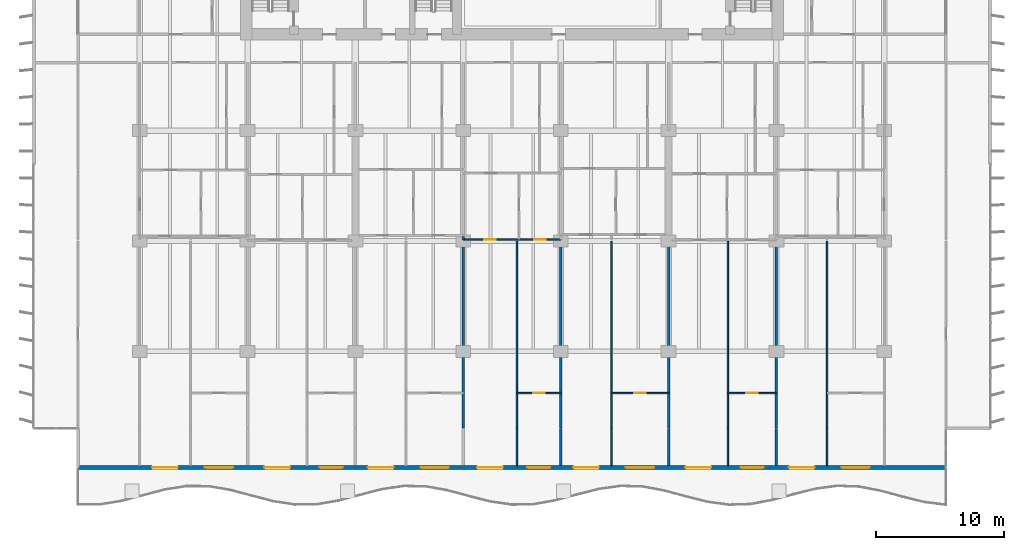
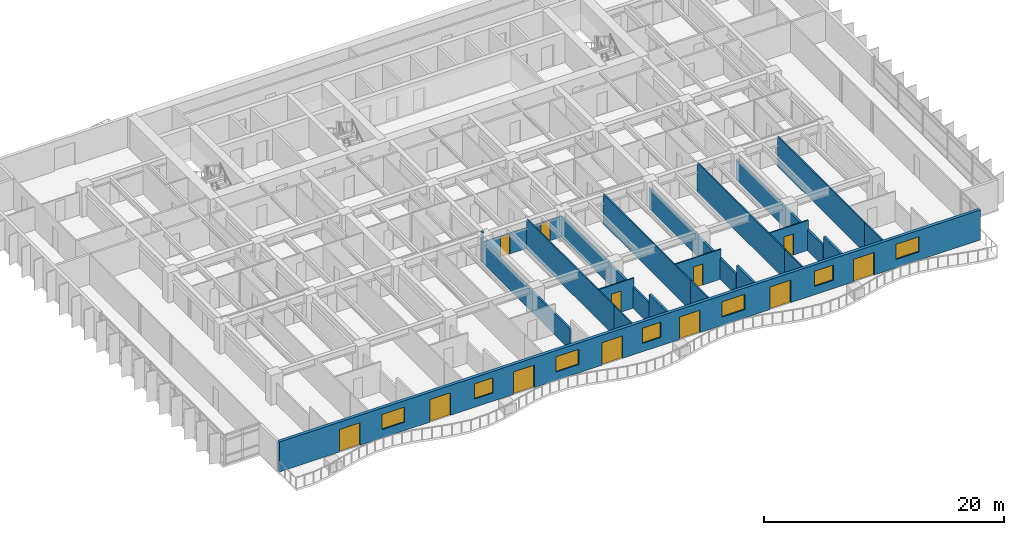
# One storey, part 8 of 18: 21 walls, 12 doors, 7 windows, 19 openings.
"""IFC4 building model written with IfcOpenShell, lengths in metres."""

from ifc_helpers import new_model, si_unit, direction, frame, frame_2d, origin, place, context, subcontext, project, spatial, rectangle, extrude, material, layer, layer_set, type_object, element, fill, save


model = new_model("IFC4")

# Units and contexts
model_context = context("Model", 3, precision=1e-05, world=origin(), true_north=direction((0.0, 1.0)))
body_context = subcontext(model_context, "Body", "Model", "MODEL_VIEW")
ifc_project = project(units=[si_unit("LENGTHUNIT", "METRE"), si_unit("AREAUNIT", "SQUARE_METRE"), si_unit("VOLUMEUNIT", "CUBIC_METRE"), si_unit("PLANEANGLEUNIT", "RADIAN"), si_unit("MASSUNIT", "GRAM", prefix="KILO")], contexts=[model_context])

# Site, building, storey
site_placement = place(None, origin())
site = spatial("IfcSite", under=ifc_project, at=site_placement, CompositionType="ELEMENT")
building_placement = place(site_placement, origin())
building = spatial("IfcBuilding", under=site, at=building_placement, Name="Caelmar Bay Residences", CompositionType="ELEMENT")
storey_placement = place(building_placement, frame((0.0, 0.0, 69.60009765625)))
storey = spatial("IfcBuildingStorey", under=building, at=storey_placement, Name="L18", CompositionType="ELEMENT", Elevation=69.60009765625)

# Wall, openings, doors, windows
ifc_material_1 = material(Name="Precast concrete f'c 40 MPa (6,000 psi)", Category="concrete")
ifc_layer_1 = layer(ifc_material_1, 0.300048828125)
ifc_layer_set_1 = layer_set([ifc_layer_1], Name="Precast concrete f'c 40 MPa (6,000 psi)")
wall_type_1 = type_object("IfcWallType", Name="W-EXT-300", PredefinedType="STANDARD", material=ifc_layer_set_1)
wall_1_placement = place(storey_placement, frame((72.699951171875, 3.14990234375, 0.0), z_axis=(0.0, 0.0, 1.0), x_axis=(-1.0, 0.0, 0.0)))
wall_1 = element("IfcWall", 1, at=wall_1_placement, inside=storey, type_object=wall_type_1, Name="L18 South Bayfront Exterior Wall", PredefinedType="STANDARD", context=body_context, shape_type="SweptSolid", body=[
    extrude(rectangle(XDim=67.599853515625, YDim=0.300048828125, at=frame_2d((33.7998046875, 0.0))), origin(), (0.0, 0.0, 1.0), 3.0498046875),
])
opening_1_placement = place(wall_1_placement, frame((59.825927734375, 0.0, 0.0)))
opening_1 = element("IfcOpeningElement", 2, at=opening_1_placement, cuts=wall_1, Name="Opening L18-BD01", PredefinedType="OPENING", context=body_context, shape_type="SweptSolid", body=[
    extrude(rectangle(XDim=2.0, YDim=2.300048828125, at=frame_2d((1.0, 1.14990234375))), frame((0.0, 0.159912109375, 0.0), z_axis=(0.0, -1.0, 0.0), x_axis=(1.0, 0.0, 0.0)), (0.0, 0.0, 1.0), 0.320068359375),
])
opening_2_placement = place(wall_1_placement, frame((55.52587890625, 0.0, 0.85009765625)))
opening_2 = element("IfcOpeningElement", 3, at=opening_2_placement, cuts=wall_1, Name="Opening WN2", PredefinedType="OPENING", context=body_context, shape_type="SweptSolid", body=[
    extrude(rectangle(XDim=2.199951171875, YDim=1.550048828125, at=frame_2d((1.10009765625, 0.77490234375))), frame((0.0, 0.159912109375, 0.0), z_axis=(0.0, -1.0, 0.0), x_axis=(1.0, 0.0, 0.0)), (0.0, 0.0, 1.0), 0.320068359375),
])
opening_3_placement = place(wall_1_placement, frame((51.090087890625, 0.0, 0.0)))
opening_3 = element("IfcOpeningElement", 4, at=opening_3_placement, cuts=wall_1, Name="Opening L18-BD02", PredefinedType="OPENING", context=body_context, shape_type="SweptSolid", body=[
    extrude(rectangle(XDim=2.0, YDim=2.300048828125, at=frame_2d((1.0, 1.14990234375))), frame((0.0, 0.159912109375, 0.0), z_axis=(0.0, -1.0, 0.0), x_axis=(1.0, 0.0, 0.0)), (0.0, 0.0, 1.0), 0.320068359375),
])
opening_4_placement = place(wall_1_placement, frame((46.989990234375, 0.0, 0.85009765625)))
opening_4 = element("IfcOpeningElement", 5, at=opening_4_placement, cuts=wall_1, Name="Opening WN1", PredefinedType="OPENING", context=body_context, shape_type="SweptSolid", body=[
    extrude(rectangle(XDim=1.800048828125, YDim=1.550048828125, at=frame_2d((0.89990234375, 0.77490234375))), frame((0.0, 0.159912109375, 0.0), z_axis=(0.0, -1.0, 0.0), x_axis=(1.0, 0.0, 0.0)), (0.0, 0.0, 1.0), 0.320068359375),
])
opening_5_placement = place(wall_1_placement, frame((43.02587890625, 0.0, 0.0)))
opening_5 = element("IfcOpeningElement", 6, at=opening_5_placement, cuts=wall_1, Name="Opening L18-BD03", PredefinedType="OPENING", context=body_context, shape_type="SweptSolid", body=[
    extrude(rectangle(XDim=2.0, YDim=2.300048828125, at=frame_2d((1.0, 1.14990234375))), frame((0.0, 0.159912109375, 0.0), z_axis=(0.0, -1.0, 0.0), x_axis=(1.0, 0.0, 0.0)), (0.0, 0.0, 1.0), 0.320068359375),
])
opening_6_placement = place(wall_1_placement, frame((38.72607421875, 0.0, 0.85009765625)))
opening_6 = element("IfcOpeningElement", 7, at=opening_6_placement, cuts=wall_1, Name="Opening WN2", PredefinedType="OPENING", context=body_context, shape_type="SweptSolid", body=[
    extrude(rectangle(XDim=2.199951171875, YDim=1.550048828125, at=frame_2d((1.10009765625, 0.77490234375))), frame((0.0, 0.159912109375, 0.0), z_axis=(0.0, -1.0, 0.0), x_axis=(1.0, 0.0, 0.0)), (0.0, 0.0, 1.0), 0.320068359375),
])
opening_7_placement = place(wall_1_placement, frame((34.510009765625, 0.0, 0.0)))
opening_7 = element("IfcOpeningElement", 8, at=opening_7_placement, cuts=wall_1, Name="Opening L18-BD04", PredefinedType="OPENING", context=body_context, shape_type="SweptSolid", body=[
    extrude(rectangle(XDim=2.0, YDim=2.300048828125, at=frame_2d((1.0, 1.14990234375))), frame((0.0, 0.159912109375, 0.0), z_axis=(0.0, -1.0, 0.0), x_axis=(1.0, 0.0, 0.0)), (0.0, 0.0, 1.0), 0.320068359375),
])
opening_8_placement = place(wall_1_placement, frame((30.81005859375, 0.0, 0.85009765625)))
opening_8 = element("IfcOpeningElement", 9, at=opening_8_placement, cuts=wall_1, Name="Opening WN1", PredefinedType="OPENING", context=body_context, shape_type="SweptSolid", body=[
    extrude(rectangle(XDim=1.800048828125, YDim=1.550048828125, at=frame_2d((0.89990234375, 0.77490234375))), frame((0.0, 0.159912109375, 0.0), z_axis=(0.0, -1.0, 0.0), x_axis=(1.0, 0.0, 0.0)), (0.0, 0.0, 1.0), 0.320068359375),
])
opening_9_placement = place(wall_1_placement, frame((27.02587890625, 0.0, 0.0)))
opening_9 = element("IfcOpeningElement", 10, at=opening_9_placement, cuts=wall_1, Name="Opening L18-BD05", PredefinedType="OPENING", context=body_context, shape_type="SweptSolid", body=[
    extrude(rectangle(XDim=2.0, YDim=2.300048828125, at=frame_2d((1.0, 1.14990234375))), frame((0.0, 0.159912109375, 0.0), z_axis=(0.0, -1.0, 0.0), x_axis=(1.0, 0.0, 0.0)), (0.0, 0.0, 1.0), 0.320068359375),
])
opening_10_placement = place(wall_1_placement, frame((22.72607421875, 0.0, 0.85009765625)))
opening_10 = element("IfcOpeningElement", 11, at=opening_10_placement, cuts=wall_1, Name="Opening WN2", PredefinedType="OPENING", context=body_context, shape_type="SweptSolid", body=[
    extrude(rectangle(XDim=2.199951171875, YDim=1.550048828125, at=frame_2d((1.10009765625, 0.77490234375))), frame((0.0, 0.159912109375, 0.0), z_axis=(0.0, -1.0, 0.0), x_axis=(1.0, 0.0, 0.0)), (0.0, 0.0, 1.0), 0.320068359375),
])
opening_11_placement = place(wall_1_placement, frame((18.2900390625, 0.0, 0.0)))
opening_11 = element("IfcOpeningElement", 12, at=opening_11_placement, cuts=wall_1, Name="Opening L18-BD06", PredefinedType="OPENING", context=body_context, shape_type="SweptSolid", body=[
    extrude(rectangle(XDim=2.0, YDim=2.300048828125, at=frame_2d((1.0, 1.14990234375))), frame((0.0, 0.159912109375, 0.0), z_axis=(0.0, -1.0, 0.0), x_axis=(1.0, 0.0, 0.0)), (0.0, 0.0, 1.0), 0.320068359375),
])
opening_12_placement = place(wall_1_placement, frame((14.18994140625, 0.0, 0.85009765625)))
opening_12 = element("IfcOpeningElement", 13, at=opening_12_placement, cuts=wall_1, Name="Opening WN1", PredefinedType="OPENING", context=body_context, shape_type="SweptSolid", body=[
    extrude(rectangle(XDim=1.800048828125, YDim=1.550048828125, at=frame_2d((0.89990234375, 0.77490234375))), frame((0.0, 0.159912109375, 0.0), z_axis=(0.0, -1.0, 0.0), x_axis=(1.0, 0.0, 0.0)), (0.0, 0.0, 1.0), 0.320068359375),
])
opening_13_placement = place(wall_1_placement, frame((10.22607421875, 0.0, 0.0)))
opening_13 = element("IfcOpeningElement", 14, at=opening_13_placement, cuts=wall_1, Name="Opening L18-BD07", PredefinedType="OPENING", context=body_context, shape_type="SweptSolid", body=[
    extrude(rectangle(XDim=2.0, YDim=2.300048828125, at=frame_2d((1.0, 1.14990234375))), frame((0.0, 0.159912109375, 0.0), z_axis=(0.0, -1.0, 0.0), x_axis=(1.0, 0.0, 0.0)), (0.0, 0.0, 1.0), 0.320068359375),
])
opening_14_placement = place(wall_1_placement, frame((5.926025390625, 0.0, 0.85009765625)))
opening_14 = element("IfcOpeningElement", 15, at=opening_14_placement, cuts=wall_1, Name="Opening WN2", PredefinedType="OPENING", context=body_context, shape_type="SweptSolid", body=[
    extrude(rectangle(XDim=2.199951171875, YDim=1.550048828125, at=frame_2d((1.10009765625, 0.77490234375))), frame((0.0, 0.159912109375, 0.0), z_axis=(0.0, -1.0, 0.0), x_axis=(1.0, 0.0, 0.0)), (0.0, 0.0, 1.0), 0.320068359375),
])
ifc_material_2 = material(Name="Anodised bronze thermally broken sliding glass door", Category="glass")
ifc_layer_2 = layer(ifc_material_2, 0.050048828125)
ifc_layer_set_2 = layer_set([ifc_layer_2], Name="Anodised bronze thermally broken sliding glass door")
door_type_1 = type_object("IfcDoorType", Name="D-BAL-2000", OperationType="DOUBLE_DOOR_SLIDING", PredefinedType="DOOR", material=ifc_layer_set_2)
door_1_placement = place(opening_1_placement, origin())
door_1 = element("IfcDoor", 16, at=door_1_placement, inside=storey, type_object=door_type_1, Name="L18 Residence 01 Living Room Balcony Door", OperationType="DOUBLE_DOOR_SLIDING", OverallHeight=2.300048828125, OverallWidth=2.0, PredefinedType="DOOR", context=body_context, shape_type="SweptSolid", body=[
    extrude(rectangle(XDim=2.0, YDim=2.300048828125, at=frame_2d((1.0, 1.14990234375))), frame((0.0, 0.02490234375, 0.0), z_axis=(0.0, -1.0, 0.0), x_axis=(1.0, 0.0, 0.0)), (0.0, 0.0, 1.0), 0.050048828125),
])
fill(opening_1, door_1)
door_2_placement = place(opening_3_placement, origin())
door_2 = element("IfcDoor", 17, at=door_2_placement, inside=storey, type_object=door_type_1, Name="L18 Residence 02 Penthouse Living Salon Balcony Door", OperationType="DOUBLE_DOOR_SLIDING", OverallHeight=2.300048828125, OverallWidth=2.0, PredefinedType="DOOR", context=body_context, shape_type="SweptSolid", body=[
    extrude(rectangle(XDim=2.0, YDim=2.300048828125, at=frame_2d((1.0, 1.14990234375))), frame((0.0, 0.02490234375, 0.0), z_axis=(0.0, -1.0, 0.0), x_axis=(1.0, 0.0, 0.0)), (0.0, 0.0, 1.0), 0.050048828125),
])
fill(opening_3, door_2)
door_3_placement = place(opening_5_placement, origin())
door_3 = element("IfcDoor", 18, at=door_3_placement, inside=storey, type_object=door_type_1, Name="L18 Residence 03 Living Room Balcony Door", OperationType="DOUBLE_DOOR_SLIDING", OverallHeight=2.300048828125, OverallWidth=2.0, PredefinedType="DOOR", context=body_context, shape_type="SweptSolid", body=[
    extrude(rectangle(XDim=2.0, YDim=2.300048828125, at=frame_2d((1.0, 1.14990234375))), frame((0.0, 0.02490234375, 0.0), z_axis=(0.0, -1.0, 0.0), x_axis=(1.0, 0.0, 0.0)), (0.0, 0.0, 1.0), 0.050048828125),
])
fill(opening_5, door_3)
door_4_placement = place(opening_7_placement, origin())
door_4 = element("IfcDoor", 19, at=door_4_placement, inside=storey, type_object=door_type_1, Name="L18 Residence 04 Living Room Balcony Door", OperationType="DOUBLE_DOOR_SLIDING", OverallHeight=2.300048828125, OverallWidth=2.0, PredefinedType="DOOR", context=body_context, shape_type="SweptSolid", body=[
    extrude(rectangle(XDim=2.0, YDim=2.300048828125, at=frame_2d((1.0, 1.14990234375))), frame((0.0, 0.02490234375, 0.0), z_axis=(0.0, -1.0, 0.0), x_axis=(1.0, 0.0, 0.0)), (0.0, 0.0, 1.0), 0.050048828125),
])
fill(opening_7, door_4)
door_5_placement = place(opening_9_placement, origin())
door_5 = element("IfcDoor", 20, at=door_5_placement, inside=storey, type_object=door_type_1, Name="L18 Residence 05 Living Room Balcony Door", OperationType="DOUBLE_DOOR_SLIDING", OverallHeight=2.300048828125, OverallWidth=2.0, PredefinedType="DOOR", context=body_context, shape_type="SweptSolid", body=[
    extrude(rectangle(XDim=2.0, YDim=2.300048828125, at=frame_2d((1.0, 1.14990234375))), frame((0.0, 0.02490234375, 0.0), z_axis=(0.0, -1.0, 0.0), x_axis=(1.0, 0.0, 0.0)), (0.0, 0.0, 1.0), 0.050048828125),
])
fill(opening_9, door_5)
door_6_placement = place(opening_11_placement, origin())
door_6 = element("IfcDoor", 21, at=door_6_placement, inside=storey, type_object=door_type_1, Name="L18 Residence 06 Penthouse Living Salon Balcony Door", OperationType="DOUBLE_DOOR_SLIDING", OverallHeight=2.300048828125, OverallWidth=2.0, PredefinedType="DOOR", context=body_context, shape_type="SweptSolid", body=[
    extrude(rectangle(XDim=2.0, YDim=2.300048828125, at=frame_2d((1.0, 1.14990234375))), frame((0.0, 0.02490234375, 0.0), z_axis=(0.0, -1.0, 0.0), x_axis=(1.0, 0.0, 0.0)), (0.0, 0.0, 1.0), 0.050048828125),
])
fill(opening_11, door_6)
door_7_placement = place(opening_13_placement, origin())
door_7 = element("IfcDoor", 22, at=door_7_placement, inside=storey, type_object=door_type_1, Name="L18 Residence 07 Living Room Balcony Door", OperationType="DOUBLE_DOOR_SLIDING", OverallHeight=2.300048828125, OverallWidth=2.0, PredefinedType="DOOR", context=body_context, shape_type="SweptSolid", body=[
    extrude(rectangle(XDim=2.0, YDim=2.300048828125, at=frame_2d((1.0, 1.14990234375))), frame((0.0, 0.02490234375, 0.0), z_axis=(0.0, -1.0, 0.0), x_axis=(1.0, 0.0, 0.0)), (0.0, 0.0, 1.0), 0.050048828125),
])
fill(opening_13, door_7)
ifc_material_3 = material(Name="Bronze aluminium frame with laminated low-E glass", Category="aluminium")
ifc_layer_3 = layer(ifc_material_3, 0.06005859375)
ifc_layer_set_3 = layer_set([ifc_layer_3], Name="Bronze aluminium frame with laminated low-E glass")
window_type_1 = type_object("IfcWindowType", Name="WIN-BR-1800", PartitioningType="SINGLE_PANEL", PredefinedType="WINDOW", material=ifc_layer_set_3)
window_1_placement = place(opening_4_placement, origin())
window_1 = element("IfcWindow", 23, at=window_1_placement, inside=storey, type_object=window_type_1, Name="L18 Residence 02 Primary Bedroom Window", OverallHeight=1.550048828125, OverallWidth=1.800048828125, PartitioningType="SINGLE_PANEL", PredefinedType="WINDOW", context=body_context, shape_type="SweptSolid", body=[
    extrude(rectangle(XDim=1.800048828125, YDim=1.550048828125, at=frame_2d((0.89990234375, 0.77490234375))), frame((0.0, 0.030029296875, 0.0), z_axis=(0.0, -1.0, 0.0), x_axis=(1.0, 0.0, 0.0)), (0.0, 0.0, 1.0), 0.06005859375),
])
fill(opening_4, window_1)
window_2_placement = place(opening_8_placement, origin())
window_2 = element("IfcWindow", 24, at=window_2_placement, inside=storey, type_object=window_type_1, Name="L18 Residence 04 Primary Bedroom Window", OverallHeight=1.550048828125, OverallWidth=1.800048828125, PartitioningType="SINGLE_PANEL", PredefinedType="WINDOW", context=body_context, shape_type="SweptSolid", body=[
    extrude(rectangle(XDim=1.800048828125, YDim=1.550048828125, at=frame_2d((0.89990234375, 0.77490234375))), frame((0.0, 0.030029296875, 0.0), z_axis=(0.0, -1.0, 0.0), x_axis=(1.0, 0.0, 0.0)), (0.0, 0.0, 1.0), 0.06005859375),
])
fill(opening_8, window_2)
window_3_placement = place(opening_12_placement, origin())
window_3 = element("IfcWindow", 25, at=window_3_placement, inside=storey, type_object=window_type_1, Name="L18 Residence 06 Primary Bedroom Window", OverallHeight=1.550048828125, OverallWidth=1.800048828125, PartitioningType="SINGLE_PANEL", PredefinedType="WINDOW", context=body_context, shape_type="SweptSolid", body=[
    extrude(rectangle(XDim=1.800048828125, YDim=1.550048828125, at=frame_2d((0.89990234375, 0.77490234375))), frame((0.0, 0.030029296875, 0.0), z_axis=(0.0, -1.0, 0.0), x_axis=(1.0, 0.0, 0.0)), (0.0, 0.0, 1.0), 0.06005859375),
])
fill(opening_12, window_3)
ifc_layer_4 = layer(ifc_material_3, 0.06005859375)
ifc_layer_set_4 = layer_set([ifc_layer_4], Name="Bronze aluminium frame with laminated low-E glass")
window_type_2 = type_object("IfcWindowType", Name="WIN-BR-2200", PartitioningType="SINGLE_PANEL", PredefinedType="WINDOW", material=ifc_layer_set_4)
window_4_placement = place(opening_2_placement, origin())
window_4 = element("IfcWindow", 26, at=window_4_placement, inside=storey, type_object=window_type_2, Name="L18 Residence 01 Primary Bedroom Window", OverallHeight=1.550048828125, OverallWidth=2.199951171875, PartitioningType="SINGLE_PANEL", PredefinedType="WINDOW", context=body_context, shape_type="SweptSolid", body=[
    extrude(rectangle(XDim=2.199951171875, YDim=1.550048828125, at=frame_2d((1.10009765625, 0.77490234375))), frame((0.0, 0.030029296875, 0.0), z_axis=(0.0, -1.0, 0.0), x_axis=(1.0, 0.0, 0.0)), (0.0, 0.0, 1.0), 0.06005859375),
])
fill(opening_2, window_4)
window_5_placement = place(opening_6_placement, origin())
window_5 = element("IfcWindow", 27, at=window_5_placement, inside=storey, type_object=window_type_2, Name="L18 Residence 03 Primary Bedroom Window", OverallHeight=1.550048828125, OverallWidth=2.199951171875, PartitioningType="SINGLE_PANEL", PredefinedType="WINDOW", context=body_context, shape_type="SweptSolid", body=[
    extrude(rectangle(XDim=2.199951171875, YDim=1.550048828125, at=frame_2d((1.10009765625, 0.77490234375))), frame((0.0, 0.030029296875, 0.0), z_axis=(0.0, -1.0, 0.0), x_axis=(1.0, 0.0, 0.0)), (0.0, 0.0, 1.0), 0.06005859375),
])
fill(opening_6, window_5)
window_6_placement = place(opening_10_placement, origin())
window_6 = element("IfcWindow", 28, at=window_6_placement, inside=storey, type_object=window_type_2, Name="L18 Residence 05 Primary Bedroom Window", OverallHeight=1.550048828125, OverallWidth=2.199951171875, PartitioningType="SINGLE_PANEL", PredefinedType="WINDOW", context=body_context, shape_type="SweptSolid", body=[
    extrude(rectangle(XDim=2.199951171875, YDim=1.550048828125, at=frame_2d((1.10009765625, 0.77490234375))), frame((0.0, 0.030029296875, 0.0), z_axis=(0.0, -1.0, 0.0), x_axis=(1.0, 0.0, 0.0)), (0.0, 0.0, 1.0), 0.06005859375),
])
fill(opening_10, window_6)
window_7_placement = place(opening_14_placement, origin())
window_7 = element("IfcWindow", 29, at=window_7_placement, inside=storey, type_object=window_type_2, Name="L18 Residence 07 Primary Bedroom Window", OverallHeight=1.550048828125, OverallWidth=2.199951171875, PartitioningType="SINGLE_PANEL", PredefinedType="WINDOW", context=body_context, shape_type="SweptSolid", body=[
    extrude(rectangle(XDim=2.199951171875, YDim=1.550048828125, at=frame_2d((1.10009765625, 0.77490234375))), frame((0.0, 0.030029296875, 0.0), z_axis=(0.0, -1.0, 0.0), x_axis=(1.0, 0.0, 0.0)), (0.0, 0.0, 1.0), 0.06005859375),
])
fill(opening_14, window_7)

# Walls
ifc_material_4 = material(Name="Acoustic metal-stud gypsum partition 120 mm")
ifc_layer_5 = layer(ifc_material_4, 0.1201171875)
ifc_layer_set_5 = layer_set([ifc_layer_5], Name="Acoustic metal-stud gypsum partition 120 mm")
wall_type_2 = type_object("IfcWallType", Name="W-PRT-120", PredefinedType="PARTITIONING", material=ifc_layer_set_5)
wall_2_placement = place(storey_placement, frame((39.280029296875, 3.294921875, 0.0), z_axis=(0.0, 0.0, 1.0), x_axis=(0.0, 1.0, 0.0)))
element("IfcWall", 30, at=wall_2_placement, inside=storey, type_object=wall_type_2, Name="L18 Partition Wall V055", PredefinedType="PARTITIONING", context=body_context, shape_type="SweptSolid", body=[
    extrude(rectangle(XDim=2.905029296875, YDim=0.1201171875, at=frame_2d((1.45263671875, 0.0))), origin(), (0.0, 0.0, 1.0), 3.0498046875),
])
wall_3_placement = place(storey_placement, frame((39.280029296875, 6.239990234375, 0.0), z_axis=(0.0, 0.0, 1.0), x_axis=(0.0, 1.0, 0.0)))
element("IfcWall", 31, at=wall_3_placement, inside=storey, type_object=wall_type_2, Name="L18 Partition Wall V056", PredefinedType="PARTITIONING", context=body_context, shape_type="SweptSolid", body=[
    extrude(rectangle(XDim=14.56005859375, YDim=0.1201171875, at=frame_2d((7.280029296875, 0.0))), origin(), (0.0, 0.0, 1.0), 3.0498046875),
])
wall_4_placement = place(storey_placement, frame((46.64794921875, 3.294921875, 0.0), z_axis=(0.0, 0.0, 1.0), x_axis=(0.0, 1.0, 0.0)))
element("IfcWall", 32, at=wall_4_placement, inside=storey, type_object=wall_type_2, Name="L18 Partition Wall V070", PredefinedType="PARTITIONING", context=body_context, shape_type="SweptSolid", body=[
    extrude(rectangle(XDim=2.905029296875, YDim=0.1201171875, at=frame_2d((1.45263671875, 0.0))), origin(), (0.0, 0.0, 1.0), 3.0498046875),
])
wall_5_placement = place(storey_placement, frame((46.64794921875, 6.239990234375, 0.0), z_axis=(0.0, 0.0, 1.0), x_axis=(0.0, 1.0, 0.0)))
element("IfcWall", 33, at=wall_5_placement, inside=storey, type_object=wall_type_2, Name="L18 Partition Wall V071", PredefinedType="PARTITIONING", context=body_context, shape_type="SweptSolid", body=[
    extrude(rectangle(XDim=14.56005859375, YDim=0.1201171875, at=frame_2d((7.280029296875, 0.0))), origin(), (0.0, 0.0, 1.0), 3.0498046875),
])
wall_6_placement = place(storey_placement, frame((55.719970703125, 3.294921875, 0.0), z_axis=(0.0, 0.0, 1.0), x_axis=(0.0, 1.0, 0.0)))
element("IfcWall", 34, at=wall_6_placement, inside=storey, type_object=wall_type_2, Name="L18 Partition Wall V085", PredefinedType="PARTITIONING", context=body_context, shape_type="SweptSolid", body=[
    extrude(rectangle(XDim=2.905029296875, YDim=0.1201171875, at=frame_2d((1.45263671875, 0.0))), origin(), (0.0, 0.0, 1.0), 3.0498046875),
])
wall_7_placement = place(storey_placement, frame((55.719970703125, 6.239990234375, 0.0), z_axis=(0.0, 0.0, 1.0), x_axis=(0.0, 1.0, 0.0)))
element("IfcWall", 35, at=wall_7_placement, inside=storey, type_object=wall_type_2, Name="L18 Partition Wall V086", PredefinedType="PARTITIONING", context=body_context, shape_type="SweptSolid", body=[
    extrude(rectangle(XDim=14.56005859375, YDim=0.1201171875, at=frame_2d((7.280029296875, 0.0))), origin(), (0.0, 0.0, 1.0), 3.0498046875),
])
wall_8_placement = place(storey_placement, frame((63.447998046875, 3.294921875, 0.0), z_axis=(0.0, 0.0, 1.0), x_axis=(0.0, 1.0, 0.0)))
element("IfcWall", 36, at=wall_8_placement, inside=storey, type_object=wall_type_2, Name="L18 Partition Wall V097", PredefinedType="PARTITIONING", context=body_context, shape_type="SweptSolid", body=[
    extrude(rectangle(XDim=2.905029296875, YDim=0.1201171875, at=frame_2d((1.45263671875, 0.0))), origin(), (0.0, 0.0, 1.0), 3.0498046875),
])
wall_9_placement = place(storey_placement, frame((63.447998046875, 6.239990234375, 0.0), z_axis=(0.0, 0.0, 1.0), x_axis=(0.0, 1.0, 0.0)))
element("IfcWall", 37, at=wall_9_placement, inside=storey, type_object=wall_type_2, Name="L18 Partition Wall V098", PredefinedType="PARTITIONING", context=body_context, shape_type="SweptSolid", body=[
    extrude(rectangle(XDim=14.56005859375, YDim=0.1201171875, at=frame_2d((7.280029296875, 0.0))), origin(), (0.0, 0.0, 1.0), 3.0498046875),
])

# Wall, opening, door
wall_10_placement = place(storey_placement, frame((39.280029296875, 8.949951171875, 0.0), z_axis=(0.0, 0.0, 1.0), x_axis=(1.0, 0.0, 0.0)))
wall_10 = element("IfcWall", 38, at=wall_10_placement, inside=storey, type_object=wall_type_2, Name="L18 Partition Wall H120", PredefinedType="PARTITIONING", context=body_context, shape_type="SweptSolid", body=[
    extrude(rectangle(XDim=3.419921875, YDim=0.1201171875, at=frame_2d((1.7099609375, 0.0))), origin(), (0.0, 0.0, 1.0), 3.0498046875),
])
opening_15_placement = place(wall_10_placement, frame((1.260009765625, 0.0, 0.0)))
opening_15 = element("IfcOpeningElement", 39, at=opening_15_placement, cuts=wall_10, Name="Opening D-L18-147", PredefinedType="OPENING", context=body_context, shape_type="SweptSolid", body=[
    extrude(rectangle(XDim=0.89990234375, YDim=2.14990234375, at=frame_2d((0.449951171875, 1.074951171875))), frame((0.0, 0.070068359375, 0.0), z_axis=(0.0, -1.0, 0.0), x_axis=(1.0, 0.0, 0.0)), (0.0, 0.0, 1.0), 0.14013671875),
])
ifc_material_5 = material(Name="Solid walnut timber interior door leaf and frame", Category="wood")
ifc_layer_6 = layer(ifc_material_5, 0.050048828125)
ifc_layer_set_6 = layer_set([ifc_layer_6], Name="Solid walnut timber interior door leaf and frame")
door_type_2 = type_object("IfcDoorType", Name="D-ROOM-900", OperationType="NOTDEFINED", PredefinedType="DOOR", material=ifc_layer_set_6)
door_8_placement = place(opening_15_placement, origin())
door_8 = element("IfcDoor", 40, at=door_8_placement, inside=storey, type_object=door_type_2, Name="L18 Residence 04 Primary Bedroom Door", OperationType="SINGLE_SWING_RIGHT", OverallHeight=2.14990234375, OverallWidth=0.89990234375, PredefinedType="DOOR", context=body_context, shape_type="SweptSolid", body=[
    extrude(rectangle(XDim=0.89990234375, YDim=2.14990234375, at=frame_2d((0.449951171875, 1.074951171875))), frame((0.0, 0.02490234375, 0.0), z_axis=(0.0, -1.0, 0.0), x_axis=(1.0, 0.0, 0.0)), (0.0, 0.0, 1.0), 0.050048828125),
])
fill(opening_15, door_8)

wall_11_placement = place(storey_placement, frame((46.64794921875, 8.949951171875, 0.0), z_axis=(0.0, 0.0, 1.0), x_axis=(1.0, 0.0, 0.0)))
wall_11 = element("IfcWall", 41, at=wall_11_placement, inside=storey, type_object=wall_type_2, Name="L18 Partition Wall H121", PredefinedType="PARTITIONING", context=body_context, shape_type="SweptSolid", body=[
    extrude(rectangle(XDim=4.4521484375, YDim=0.1201171875, at=frame_2d((2.22607421875, 0.0))), origin(), (0.0, 0.0, 1.0), 3.0498046875),
])
opening_16_placement = place(wall_11_placement, frame((1.77587890625, 0.0, 0.0)))
opening_16 = element("IfcOpeningElement", 42, at=opening_16_placement, cuts=wall_11, Name="Opening D-L18-154", PredefinedType="OPENING", context=body_context, shape_type="SweptSolid", body=[
    extrude(rectangle(XDim=0.89990234375, YDim=2.14990234375, at=frame_2d((0.449951171875, 1.074951171875))), frame((0.0, 0.070068359375, 0.0), z_axis=(0.0, -1.0, 0.0), x_axis=(1.0, 0.0, 0.0)), (0.0, 0.0, 1.0), 0.14013671875),
])
door_9_placement = place(opening_16_placement, origin())
door_9 = element("IfcDoor", 43, at=door_9_placement, inside=storey, type_object=door_type_2, Name="L18 Residence 05 Primary Bedroom Door", OperationType="SINGLE_SWING_LEFT", OverallHeight=2.14990234375, OverallWidth=0.89990234375, PredefinedType="DOOR", context=body_context, shape_type="SweptSolid", body=[
    extrude(rectangle(XDim=0.89990234375, YDim=2.14990234375, at=frame_2d((0.449951171875, 1.074951171875))), frame((0.0, 0.02490234375, 0.0), z_axis=(0.0, -1.0, 0.0), x_axis=(1.0, 0.0, 0.0)), (0.0, 0.0, 1.0), 0.050048828125),
])
fill(opening_16, door_9)

wall_12_placement = place(storey_placement, frame((55.719970703125, 8.949951171875, 0.0), z_axis=(0.0, 0.0, 1.0), x_axis=(1.0, 0.0, 0.0)))
wall_12 = element("IfcWall", 44, at=wall_12_placement, inside=storey, type_object=wall_type_2, Name="L18 Partition Wall H122", PredefinedType="PARTITIONING", context=body_context, shape_type="SweptSolid", body=[
    extrude(rectangle(XDim=3.780029296875, YDim=0.1201171875, at=frame_2d((1.89013671875, 0.0))), origin(), (0.0, 0.0, 1.0), 3.0498046875),
])
opening_17_placement = place(wall_12_placement, frame((1.43994140625, 0.0, 0.0)))
opening_17 = element("IfcOpeningElement", 45, at=opening_17_placement, cuts=wall_12, Name="Opening D-L18-161", PredefinedType="OPENING", context=body_context, shape_type="SweptSolid", body=[
    extrude(rectangle(XDim=0.89990234375, YDim=2.14990234375, at=frame_2d((0.449951171875, 1.074951171875))), frame((0.0, 0.070068359375, 0.0), z_axis=(0.0, -1.0, 0.0), x_axis=(1.0, 0.0, 0.0)), (0.0, 0.0, 1.0), 0.14013671875),
])
door_10_placement = place(opening_17_placement, origin())
door_10 = element("IfcDoor", 46, at=door_10_placement, inside=storey, type_object=door_type_2, Name="L18 Residence 06 Primary Bedroom Door", OperationType="SINGLE_SWING_RIGHT", OverallHeight=2.14990234375, OverallWidth=0.89990234375, PredefinedType="DOOR", context=body_context, shape_type="SweptSolid", body=[
    extrude(rectangle(XDim=0.89990234375, YDim=2.14990234375, at=frame_2d((0.449951171875, 1.074951171875))), frame((0.0, 0.02490234375, 0.0), z_axis=(0.0, -1.0, 0.0), x_axis=(1.0, 0.0, 0.0)), (0.0, 0.0, 1.0), 0.050048828125),
])
fill(opening_17, door_10)

# Wall, openings, doors
wall_13_placement = place(storey_placement, frame((35.10009765625, 20.929931640625, 0.0), z_axis=(0.0, 0.0, 1.0), x_axis=(1.0, 0.0, 0.0)))
wall_13 = element("IfcWall", 47, at=wall_13_placement, inside=storey, type_object=wall_type_2, Name="L18 Partition Wall H126", PredefinedType="PARTITIONING", context=body_context, shape_type="SweptSolid", body=[
    extrude(rectangle(XDim=7.599853515625, YDim=0.1201171875, at=frame_2d((3.7998046875, 0.0))), origin(), (0.0, 0.0, 1.0), 2.10986328125),
])
opening_18_placement = place(wall_13_placement, frame((1.639892578125, 0.0, 0.0)))
opening_18 = element("IfcOpeningElement", 48, at=opening_18_placement, cuts=wall_13, Name="Opening D-L18-145", PredefinedType="OPENING", context=body_context, shape_type="SweptSolid", body=[
    extrude(rectangle(XDim=0.89990234375, YDim=2.06005859375, at=frame_2d((0.449951171875, 1.030029296875))), frame((0.0, 0.070068359375, 0.0), z_axis=(0.0, -1.0, 0.0), x_axis=(1.0, 0.0, 0.0)), (0.0, 0.0, 1.0), 0.14013671875),
])
opening_19_placement = place(wall_13_placement, frame((5.527099609375, 0.0, 0.0)))
opening_19 = element("IfcOpeningElement", 49, at=opening_19_placement, cuts=wall_13, Name="Opening D-L18-146", PredefinedType="OPENING", context=body_context, shape_type="SweptSolid", body=[
    extrude(rectangle(XDim=0.89990234375, YDim=2.06005859375, at=frame_2d((0.449951171875, 1.030029296875))), frame((0.0, 0.070068359375, 0.0), z_axis=(0.0, -1.0, 0.0), x_axis=(1.0, 0.0, 0.0)), (0.0, 0.0, 1.0), 0.14013671875),
])
door_11_placement = place(opening_18_placement, origin())
door_11 = element("IfcDoor", 50, at=door_11_placement, inside=storey, type_object=door_type_2, Name="L18 Residence 04 Living Room Door", OperationType="SINGLE_SWING_RIGHT", OverallHeight=2.06005859375, OverallWidth=0.89990234375, PredefinedType="DOOR", context=body_context, shape_type="SweptSolid", body=[
    extrude(rectangle(XDim=0.89990234375, YDim=2.06005859375, at=frame_2d((0.449951171875, 1.030029296875))), frame((0.0, 0.02490234375, 0.0), z_axis=(0.0, -1.0, 0.0), x_axis=(1.0, 0.0, 0.0)), (0.0, 0.0, 1.0), 0.050048828125),
])
fill(opening_18, door_11)
door_12_placement = place(opening_19_placement, origin())
door_12 = element("IfcDoor", 51, at=door_12_placement, inside=storey, type_object=door_type_2, Name="L18 Residence 04 Penthouse Sitting Room Door", OperationType="SINGLE_SWING_LEFT", OverallHeight=2.06005859375, OverallWidth=0.89990234375, PredefinedType="DOOR", context=body_context, shape_type="SweptSolid", body=[
    extrude(rectangle(XDim=0.89990234375, YDim=2.06005859375, at=frame_2d((0.449951171875, 1.030029296875))), frame((0.0, 0.02490234375, 0.0), z_axis=(0.0, -1.0, 0.0), x_axis=(1.0, 0.0, 0.0)), (0.0, 0.0, 1.0), 0.050048828125),
])
fill(opening_19, door_12)

# Walls
ifc_material_6 = material(Name="Acoustic twin-stud fire-rated inter-tenancy partition 200 mm")
ifc_layer_7 = layer(ifc_material_6, 0.199951171875)
ifc_layer_set_7 = layer_set([ifc_layer_7], Name="Acoustic twin-stud fire-rated inter-tenancy partition 200 mm")
wall_type_3 = type_object("IfcWallType", Name="W-PTY-200", PredefinedType="PARTITIONING", material=ifc_layer_set_7)
wall_14_placement = place(storey_placement, frame((35.10009765625, 6.239990234375, 0.0), z_axis=(0.0, 0.0, 1.0), x_axis=(0.0, 1.0, 0.0)))
element("IfcWall", 52, at=wall_14_placement, inside=storey, type_object=wall_type_3, Name="L18 Partition Wall V048", PredefinedType="PARTITIONING", context=body_context, shape_type="SweptSolid", body=[
    extrude(rectangle(XDim=14.56005859375, YDim=0.199951171875, at=frame_2d((7.280029296875, 0.0))), origin(), (0.0, 0.0, 1.0), 2.10986328125),
])
wall_15_placement = place(storey_placement, frame((35.10009765625, 20.929931640625, 0.0), z_axis=(0.0, 0.0, 1.0), x_axis=(0.0, 1.0, 0.0)))
element("IfcWall", 53, at=wall_15_placement, inside=storey, type_object=wall_type_3, Name="L18 Partition Wall V049", PredefinedType="PARTITIONING", context=body_context, shape_type="SweptSolid", body=[
    extrude(rectangle(XDim=0.239990234375, YDim=0.199951171875, at=frame_2d((0.1201171875, 0.0))), origin(), (0.0, 0.0, 1.0), 3.0498046875),
])
wall_16_placement = place(storey_placement, frame((42.699951171875, 3.294921875, 0.0), z_axis=(0.0, 0.0, 1.0), x_axis=(0.0, 1.0, 0.0)))
element("IfcWall", 54, at=wall_16_placement, inside=storey, type_object=wall_type_3, Name="L18 Partition Wall V062", PredefinedType="PARTITIONING", context=body_context, shape_type="SweptSolid", body=[
    extrude(rectangle(XDim=2.905029296875, YDim=0.199951171875, at=frame_2d((1.45263671875, 0.0))), origin(), (0.0, 0.0, 1.0), 3.0498046875),
])
wall_17_placement = place(storey_placement, frame((42.699951171875, 6.239990234375, 0.0), z_axis=(0.0, 0.0, 1.0), x_axis=(0.0, 1.0, 0.0)))
element("IfcWall", 55, at=wall_17_placement, inside=storey, type_object=wall_type_3, Name="L18 Partition Wall V063", PredefinedType="PARTITIONING", context=body_context, shape_type="SweptSolid", body=[
    extrude(rectangle(XDim=14.56005859375, YDim=0.199951171875, at=frame_2d((7.280029296875, 0.0))), origin(), (0.0, 0.0, 1.0), 2.10986328125),
])
wall_18_placement = place(storey_placement, frame((51.10009765625, 3.294921875, 0.0), z_axis=(0.0, 0.0, 1.0), x_axis=(0.0, 1.0, 0.0)))
element("IfcWall", 56, at=wall_18_placement, inside=storey, type_object=wall_type_3, Name="L18 Partition Wall V079", PredefinedType="PARTITIONING", context=body_context, shape_type="SweptSolid", body=[
    extrude(rectangle(XDim=2.905029296875, YDim=0.199951171875, at=frame_2d((1.45263671875, 0.0))), origin(), (0.0, 0.0, 1.0), 3.0498046875),
])
wall_19_placement = place(storey_placement, frame((51.10009765625, 6.239990234375, 0.0), z_axis=(0.0, 0.0, 1.0), x_axis=(0.0, 1.0, 0.0)))
element("IfcWall", 57, at=wall_19_placement, inside=storey, type_object=wall_type_3, Name="L18 Partition Wall V080", PredefinedType="PARTITIONING", context=body_context, shape_type="SweptSolid", body=[
    extrude(rectangle(XDim=14.554931640625, YDim=0.199951171875, at=frame_2d((7.27734375, 0.0))), origin(), (0.0, 0.0, 1.0), 2.10986328125),
])
wall_20_placement = place(storey_placement, frame((59.5, 3.294921875, 0.0), z_axis=(0.0, 0.0, 1.0), x_axis=(0.0, 1.0, 0.0)))
element("IfcWall", 58, at=wall_20_placement, inside=storey, type_object=wall_type_3, Name="L18 Partition Wall V090", PredefinedType="PARTITIONING", context=body_context, shape_type="SweptSolid", body=[
    extrude(rectangle(XDim=2.905029296875, YDim=0.199951171875, at=frame_2d((1.45263671875, 0.0))), origin(), (0.0, 0.0, 1.0), 3.0498046875),
])
wall_21_placement = place(storey_placement, frame((59.5, 6.239990234375, 0.0), z_axis=(0.0, 0.0, 1.0), x_axis=(0.0, 1.0, 0.0)))
element("IfcWall", 59, at=wall_21_placement, inside=storey, type_object=wall_type_3, Name="L18 Partition Wall V091", PredefinedType="PARTITIONING", context=body_context, shape_type="SweptSolid", body=[
    extrude(rectangle(XDim=14.56005859375, YDim=0.199951171875, at=frame_2d((7.280029296875, 0.0))), origin(), (0.0, 0.0, 1.0), 2.10986328125),
])

save(model, "model.ifc")
